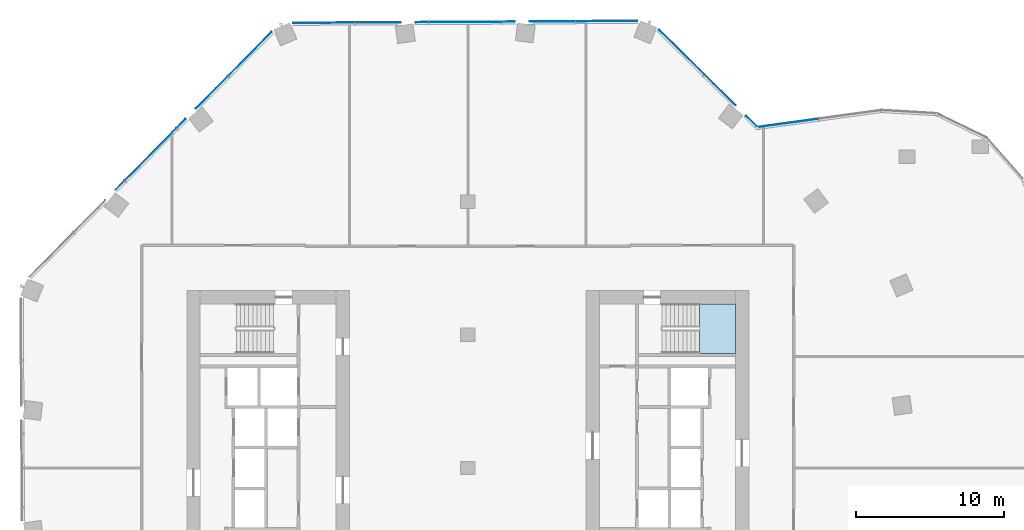
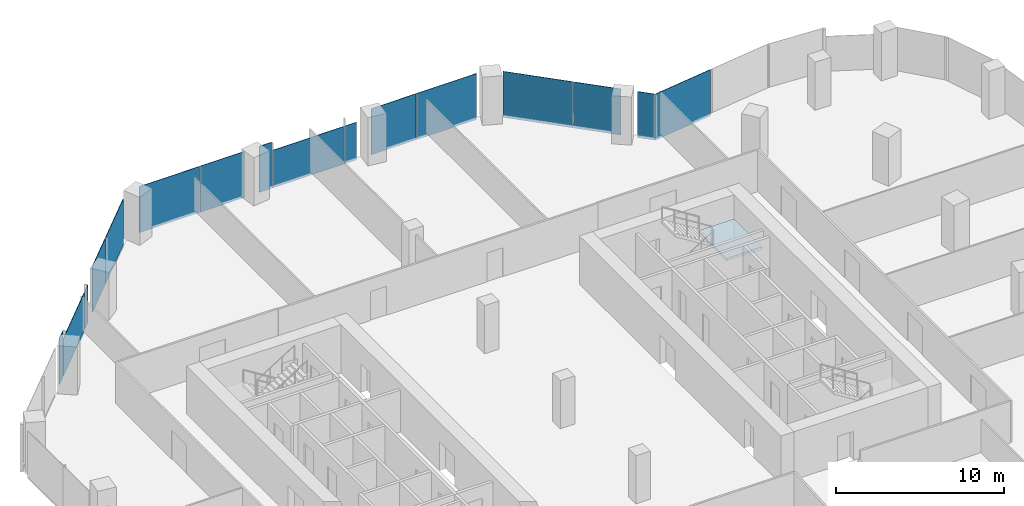
# One storey, part 17 of 27: 16 plates, 1 slab, 5 elements without a shape of their own.
"""IFC4 building model written with IfcOpenShell, lengths in metres."""

import ifcopenshell
import ifcopenshell.guid

model = None  # the IFC model being written
_history = None  # IfcOwnerHistory: only IFC2X3 demands one
_inside = {}  # id of a spatial element -> (the spatial element, [elements in it])
_under = {}  # id of a project, library or spatial element -> (it, [spatial elements below it])
_declared = {}  # id of a project -> (the project, [libraries it declares])
_typed = {}  # id of a type object -> (the type object, [elements of that type])
_made_of = {}  # id of a material, layer set ... -> (it, [elements and type objects made of it])


def new_model(schema):
    """Start an empty IFC model of exactly this schema.

    Asked for "IFC4X3", IfcOpenShell would pick the latest addendum, in which some entities
    have other attributes; the version numbers below select the first issue.
    IFC2X3 requires an IfcOwnerHistory on every rooted entity: one is made here for all.
    """
    global model, _history
    if schema == "IFC4X3":
        model = ifcopenshell.file(schema_version=(4, 3, 0, 0))
    else:
        model = ifcopenshell.file(schema=schema)
    _inside.clear()
    _under.clear()
    _declared.clear()
    _typed.clear()
    _made_of.clear()
    _history = None
    if model.schema == "IFC2X3":
        org = make("IfcOrganization", Name="unknown")
        user = make(
            "IfcPersonAndOrganization",
            ThePerson=make("IfcPerson", FamilyName="unknown"),
            TheOrganization=org,
        )
        app = make(
            "IfcApplication",
            ApplicationDeveloper=org,
            Version="unknown",
            ApplicationFullName="unknown",
            ApplicationIdentifier="unknown",
        )
        _history = make(
            "IfcOwnerHistory",
            OwningUser=user,
            OwningApplication=app,
            ChangeAction="ADDED",
            CreationDate=0,
        )
    return model


def make(cls, **values):
    """One entity of the class cls with the attributes given. An attribute that is None is left unset."""
    return model.create_entity(
        cls, **{name: value for name, value in values.items() if value is not None}
    )


def rooted(cls, **values):
    """An entity with a GlobalId (a new one), such as an element, a storey or a relation."""
    return make(cls, GlobalId=ifcopenshell.guid.new(), OwnerHistory=_history, **values)


def si_unit(unit_type, name, prefix=None):
    """IfcSIUnit, for example si_unit("LENGTHUNIT", "METRE", prefix="MILLI")."""
    return make("IfcSIUnit", UnitType=unit_type, Prefix=prefix, Name=name)


def assignment(units):
    """IfcUnitAssignment: the units of a project."""
    return None if units is None else make("IfcUnitAssignment", Units=units)


def point(xyz):
    """IfcCartesianPoint."""
    return None if xyz is None else make("IfcCartesianPoint", Coordinates=xyz)


def direction(xyz):
    """IfcDirection."""
    return None if xyz is None else make("IfcDirection", DirectionRatios=xyz)


def frame(location, z_axis=None, x_axis=None):
    """IfcAxis2Placement3D, a coordinate frame: its origin and axes. An axis left out is left unset."""
    return make(
        "IfcAxis2Placement3D",
        Location=point(location),
        Axis=direction(z_axis),
        RefDirection=direction(x_axis),
    )


def frame_2d(location, x_axis=None):
    """IfcAxis2Placement2D, a coordinate frame in the plane: its origin and x axis."""
    return make(
        "IfcAxis2Placement2D", Location=point(location), RefDirection=direction(x_axis)
    )


def origin():
    """The frame at (0, 0, 0) with its axes left unset."""
    return frame((0.0, 0.0, 0.0))


def origin_2d():
    """The frame at (0, 0) in the plane with its x axis left unset."""
    return frame_2d((0.0, 0.0))


def place(relative_to, where):
    """IfcLocalPlacement: puts the frame where relative to a parent placement (None: the world)."""
    return make(
        "IfcLocalPlacement", PlacementRelTo=relative_to, RelativePlacement=where
    )


def context(
    kind, dimensions, precision=None, world=None, true_north=None, identifier=None
):
    """IfcGeometricRepresentationContext, for example the 3D "Model" context."""
    return make(
        "IfcGeometricRepresentationContext",
        ContextIdentifier=identifier,
        ContextType=kind,
        CoordinateSpaceDimension=dimensions,
        Precision=precision,
        WorldCoordinateSystem=world,
        TrueNorth=true_north,
    )


def subcontext(parent, identifier, kind, view, scale=None):
    """IfcGeometricRepresentationSubContext, for example "Body" below "Model"."""
    return make(
        "IfcGeometricRepresentationSubContext",
        ContextIdentifier=identifier,
        ContextType=kind,
        ParentContext=parent,
        TargetScale=scale,
        TargetView=view,
    )


def project(units=None, contexts=None):
    """IfcProject with its units and contexts."""
    return rooted(
        "IfcProject",
        Name="project",
        RepresentationContexts=contexts,
        UnitsInContext=assignment(units),
    )


def spatial(cls, under=None, at=None, **own):
    """A site, building, storey or space (cls), placed at a placement, below another one or the project."""
    s = rooted(cls, ObjectPlacement=at, **own)
    if under is not None:
        _under.setdefault(under.id(), (under, []))[1].append(s)
    return s


def polyline(points):
    """IfcPolyline through the points."""
    return make("IfcPolyline", Points=[point(p) for p in points])


def profile(cls, at=None, kind="AREA", **sizes):
    """A parametric profile (cls). Its sizes go by their IFC names, for example OverallWidth=200.0."""
    return make(cls, ProfileType=kind, Position=at, **sizes)


def rectangle(**sizes):
    """IfcRectangleProfileDef."""
    return profile("IfcRectangleProfileDef", **sizes)


def outline(outer, holes=None, kind="AREA"):
    """IfcArbitraryClosedProfileDef: a profile drawn as a closed curve; with holes, ...WithVoids."""
    if holes is None:
        return make("IfcArbitraryClosedProfileDef", ProfileType=kind, OuterCurve=outer)
    return make(
        "IfcArbitraryProfileDefWithVoids",
        ProfileType=kind,
        OuterCurve=outer,
        InnerCurves=holes,
    )


def extrude(swept, where, along, depth):
    """IfcExtrudedAreaSolid: the profile swept, set in the frame where, extruded along a direction by depth."""
    return make(
        "IfcExtrudedAreaSolid",
        SweptArea=swept,
        Position=where,
        ExtrudedDirection=direction(along),
        Depth=depth,
    )


def shape(context_of_items, identifier, shape_type, items):
    """IfcShapeRepresentation: the items that make up one representation, for example the "Body"."""
    return make(
        "IfcShapeRepresentation",
        ContextOfItems=context_of_items,
        RepresentationIdentifier=identifier,
        RepresentationType=shape_type,
        Items=items,
    )


def material(Name=None, Category=None):
    """IfcMaterial."""
    return make("IfcMaterial", Name=Name, Category=Category)


def layer(
    of_material, thickness, ventilated=None, Name=None, Category=None, Priority=None
):
    """IfcMaterialLayer: one layer of a wall or slab, of a material (None: an air gap)."""
    return make(
        "IfcMaterialLayer",
        Material=of_material,
        LayerThickness=thickness,
        IsVentilated=ventilated,
        Name=Name,
        Category=Category,
        Priority=Priority,
    )


def layer_set(layers, Name=None):
    """IfcMaterialLayerSet."""
    return make("IfcMaterialLayerSet", MaterialLayers=layers, LayerSetName=Name)


def made_of(thing, what):
    """Note that an element or type object is made of a material, layer set ...; save() writes the relation."""
    if what is not None:
        _made_of.setdefault(what.id(), (what, []))[1].append(thing)
    return thing


def type_object(cls, material=None, **own):
    """A type object (cls), such as IfcWallType, which elements share."""
    return made_of(rooted(cls, **own), material)


def element(
    cls,
    number,
    at=None,
    inside=None,
    cuts=None,
    type_object=None,
    material=None,
    context=None,
    identifier="Body",
    shape_type=None,
    held_by="IfcProductDefinitionShape",
    body=None,
    shapes=None,
    **own,
):
    """One element of the class cls, such as IfcWall. Its Tag is "e" and its number.

    at: its placement. inside: the storey or other place that contains it. cuts: it is an
    opening in that element (IfcRelVoidsElement). A single representation is given by context,
    identifier, shape_type and body (its items); several are given by shapes. held_by: the class
    of the entity that holds the representations. save() writes the other relations.
    """
    e = rooted(cls, Tag="e%d" % number, ObjectPlacement=at, **own)
    if body is not None:
        shapes = [shape(context, identifier, shape_type, body)]
    if shapes is not None:
        e.Representation = make(held_by, Representations=shapes)
    if inside is not None:
        _inside.setdefault(inside.id(), (inside, []))[1].append(e)
    if cuts is not None:
        rooted(
            "IfcRelVoidsElement", RelatingBuildingElement=cuts, RelatedOpeningElement=e
        )
    if type_object is not None:
        _typed.setdefault(type_object.id(), (type_object, []))[1].append(e)
    return made_of(e, material)


def aggregate(whole, parts):
    """IfcRelAggregates: a whole, such as a stair, and the parts it consists of."""
    return rooted("IfcRelAggregates", RelatingObject=whole, RelatedObjects=parts)


def save(model, path):
    """Write the relations noted so far, then the file.

    IfcRelAggregates (storeys below a building ...), IfcRelContainedInSpatialStructure (elements
    in a storey), IfcRelDefinesByType, IfcRelAssociatesMaterial and IfcRelDeclares: one each for
    every whole, place, type object, material and project.
    """
    for whole, parts in _under.values():
        aggregate(whole, parts)
    for where, things in _inside.values():
        rooted(
            "IfcRelContainedInSpatialStructure",
            RelatedElements=things,
            RelatingStructure=where,
        )
    for kind, things in _typed.values():
        rooted("IfcRelDefinesByType", RelatedObjects=things, RelatingType=kind)
    for what, things in _made_of.values():
        rooted("IfcRelAssociatesMaterial", RelatedObjects=things, RelatingMaterial=what)
    for by, libraries in _declared.values():
        rooted("IfcRelDeclares", RelatingContext=by, RelatedDefinitions=libraries)
    model.write(path)


model = new_model("IFC4")

# Units and contexts
model_context = context("Model", 3, precision=1e-05, world=origin(), true_north=direction((0.0, 1.0)))
body_context = subcontext(model_context, "Body", "Model", "MODEL_VIEW")
ifc_project = project(units=[si_unit("LENGTHUNIT", "METRE"), si_unit("AREAUNIT", "SQUARE_METRE"), si_unit("VOLUMEUNIT", "CUBIC_METRE"), si_unit("PLANEANGLEUNIT", "RADIAN"), si_unit("MASSUNIT", "GRAM", prefix="KILO")], contexts=[model_context])

# Site, building, storey
site_placement = place(None, origin())
site = spatial("IfcSite", under=ifc_project, at=site_placement, CompositionType="ELEMENT")
building_placement = place(site_placement, origin())
building = spatial("IfcBuilding", under=site, at=building_placement, Name="Orlundy Tower", CompositionType="ELEMENT")
storey_placement = place(building_placement, frame((0.0, 0.0, 202.60009765625)))
storey = spatial("IfcBuildingStorey", under=building, at=storey_placement, Name="L53", CompositionType="ELEMENT", Elevation=202.60009765625)

# Curtain wall, plates
ifc_material_1 = material(Name="Aluminium bronze anodised", Category="aluminium")
curtain_wall_type = type_object("IfcCurtainWallType", Name="CW1 wall", PredefinedType="NOTDEFINED", material=ifc_material_1)
curtain_wall_1_placement = place(storey_placement, origin())
curtain_wall_1 = element("IfcCurtainWall", 1, at=curtain_wall_1_placement, inside=storey, type_object=curtain_wall_type, Name="CW1 run 03", PredefinedType="NOTDEFINED")
ifc_material_2 = material(Name="Tinted glass", Category="glass")
ifc_layer_1 = layer(ifc_material_2, 0.031982421875)
ifc_layer_set_1 = layer_set([ifc_layer_1], Name="CW1 glass panel 32")
plate_type = type_object("IfcPlateType", Name="CW1 glass panel 32", PredefinedType="CURTAIN_PANEL", material=ifc_layer_set_1)
plate_1_placement = place(storey_placement, frame((-23.515380859375, 19.118408203125, -0.300048828125), z_axis=(0.0, 0.0, 1.0), x_axis=(0.702990637629, 0.711199102506, 0.0)))
plate_1 = element("IfcPlate", 2, at=plate_1_placement, type_object=plate_type, Name="CW1 panel", PredefinedType="CURTAIN_PANEL", context=body_context, shape_type="SweptSolid", body=[
    extrude(rectangle(XDim=0.846435546875, YDim=0.031982421875, at=origin_2d()), origin(), (0.0, 0.0, 1.0), 3.35009765625),
])
plate_2_placement = place(storey_placement, frame((-21.453125, 21.204833984375, -0.300048828125), z_axis=(0.0, 0.0, 1.0), x_axis=(0.702990637629, 0.711199102506, 0.0)))
plate_2 = element("IfcPlate", 3, at=plate_2_placement, type_object=plate_type, Name="CW1 panel", PredefinedType="CURTAIN_PANEL", context=body_context, shape_type="SweptSolid", body=[
    extrude(rectangle(XDim=4.92041015625, YDim=0.031982421875, at=origin_2d()), origin(), (0.0, 0.0, 1.0), 2.73388671875),
])
plate_3_placement = place(storey_placement, frame((-19.390625, 23.291259765625, -0.300048828125), z_axis=(0.0, 0.0, 1.0), x_axis=(0.702990637629, 0.711199102506, 0.0)))
plate_3 = element("IfcPlate", 4, at=plate_3_placement, type_object=plate_type, Name="CW1 panel", PredefinedType="CURTAIN_PANEL", context=body_context, shape_type="SweptSolid", body=[
    extrude(rectangle(XDim=0.84716796875, YDim=0.031982421875, at=origin_2d()), origin(), (0.0, 0.0, 1.0), 2.73388671875),
])
plate_4_placement = place(storey_placement, frame((-17.302978515625, 25.4033203125, -0.300048828125), z_axis=(0.0, 0.0, 1.0), x_axis=(0.702990637629, 0.711199102506, 0.0)))
plate_4 = element("IfcPlate", 5, at=plate_4_placement, type_object=plate_type, Name="CW1 panel", PredefinedType="CURTAIN_PANEL", context=body_context, shape_type="SweptSolid", body=[
    extrude(rectangle(XDim=3.054443359375, YDim=0.031982421875, at=origin_2d()), origin(), (0.0, 0.0, 1.0), 3.35009765625),
])
plate_5_placement = place(storey_placement, frame((-14.736328125, 28.0, -0.300048828125), z_axis=(0.0, 0.0, 1.0), x_axis=(0.702990637629, 0.711199102506, 0.0)))
plate_5 = element("IfcPlate", 6, at=plate_5_placement, type_object=plate_type, Name="CW1 panel", PredefinedType="CURTAIN_PANEL", context=body_context, shape_type="SweptSolid", body=[
    extrude(rectangle(XDim=4.147705078125, YDim=0.031982421875, at=origin_2d()), origin(), (0.0, 0.0, 1.0), 3.35009765625),
])
aggregate(curtain_wall_1, [plate_1, plate_2, plate_3, plate_4, plate_5])

curtain_wall_2_placement = place(storey_placement, origin())
curtain_wall_2 = element("IfcCurtainWall", 7, at=curtain_wall_2_placement, inside=storey, type_object=curtain_wall_type, Name="CW1 run 04", PredefinedType="NOTDEFINED")
plate_6_placement = place(storey_placement, frame((-9.72998046875, 30.107666015625, -0.300048828125), z_axis=(0.0, 0.0, 1.0), x_axis=(0.999982980873, 0.005834206419, 0.0)))
plate_6 = element("IfcPlate", 8, at=plate_6_placement, type_object=plate_type, Name="CW1 panel", PredefinedType="CURTAIN_PANEL", context=body_context, shape_type="SweptSolid", body=[
    extrude(rectangle(XDim=4.1474609375, YDim=0.031982421875, at=origin_2d()), origin(), (0.0, 0.0, 1.0), 3.35009765625),
])
plate_7_placement = place(storey_placement, frame((-6.078857421875, 30.129150390625, -0.300048828125), z_axis=(0.0, 0.0, 1.0), x_axis=(0.999982980873, 0.005834206419, 0.0)))
plate_7 = element("IfcPlate", 9, at=plate_7_placement, type_object=plate_type, Name="CW1 panel", PredefinedType="CURTAIN_PANEL", context=body_context, shape_type="SweptSolid", body=[
    extrude(rectangle(XDim=3.054931640625, YDim=0.031982421875, at=origin_2d()), origin(), (0.0, 0.0, 1.0), 3.35009765625),
])
plate_8_placement = place(storey_placement, frame((-3.109130859375, 30.146484375, -0.300048828125), z_axis=(0.0, 0.0, 1.0), x_axis=(0.999982980873, 0.005834206419, 0.0)))
plate_8 = element("IfcPlate", 10, at=plate_8_placement, type_object=plate_type, Name="CW1 panel", PredefinedType="CURTAIN_PANEL", context=body_context, shape_type="SweptSolid", body=[
    extrude(rectangle(XDim=0.8466796875, YDim=0.031982421875, at=origin_2d()), origin(), (0.0, 0.0, 1.0), 3.35009765625),
])
plate_9_placement = place(storey_placement, frame((-0.175537109375, 30.16357421875, -0.300048828125), z_axis=(0.0, 0.0, 1.0), x_axis=(0.999982980873, 0.005834206419, 0.0)))
plate_9 = element("IfcPlate", 11, at=plate_9_placement, type_object=plate_type, Name="CW1 panel", PredefinedType="CURTAIN_PANEL", context=body_context, shape_type="SweptSolid", body=[
    extrude(rectangle(XDim=4.920654296875, YDim=0.031982421875, at=origin_2d()), origin(), (0.0, 0.0, 1.0), 2.73388671875),
])
plate_10_placement = place(storey_placement, frame((2.758056640625, 30.1806640625, -0.300048828125), z_axis=(0.0, 0.0, 1.0), x_axis=(0.999982980873, 0.005834206419, 0.0)))
plate_10 = element("IfcPlate", 12, at=plate_10_placement, type_object=plate_type, Name="CW1 panel", PredefinedType="CURTAIN_PANEL", context=body_context, shape_type="SweptSolid", body=[
    extrude(rectangle(XDim=0.8466796875, YDim=0.031982421875, at=origin_2d()), origin(), (0.0, 0.0, 1.0), 2.73388671875),
])
plate_11_placement = place(storey_placement, frame((5.7265625, 30.197998046875, -0.300048828125), z_axis=(0.0, 0.0, 1.0), x_axis=(0.999982980873, 0.005834206419, 0.0)))
plate_11 = element("IfcPlate", 13, at=plate_11_placement, type_object=plate_type, Name="CW1 panel", PredefinedType="CURTAIN_PANEL", context=body_context, shape_type="SweptSolid", body=[
    extrude(rectangle(XDim=3.0576171875, YDim=0.031982421875, at=origin_2d()), origin(), (0.0, 0.0, 1.0), 3.35009765625),
])
plate_12_placement = place(storey_placement, frame((9.37939453125, 30.21923828125, -0.300048828125), z_axis=(0.0, 0.0, 1.0), x_axis=(0.999982980873, 0.005834206419, 0.0)))
plate_12 = element("IfcPlate", 14, at=plate_12_placement, type_object=plate_type, Name="CW1 panel", PredefinedType="CURTAIN_PANEL", context=body_context, shape_type="SweptSolid", body=[
    extrude(rectangle(XDim=4.14794921875, YDim=0.031982421875, at=origin_2d()), origin(), (0.0, 0.0, 1.0), 3.35009765625),
])
aggregate(curtain_wall_2, [plate_6, plate_7, plate_8, plate_9, plate_10, plate_11, plate_12])

curtain_wall_3_placement = place(storey_placement, origin())
curtain_wall_3 = element("IfcCurtainWall", 15, at=curtain_wall_3_placement, inside=storey, type_object=curtain_wall_type, Name="CW1 run 05", PredefinedType="NOTDEFINED")
plate_13_placement = place(storey_placement, frame((14.462158203125, 28.117919921875, -0.300048828125), z_axis=(0.0, 0.0, 1.0), x_axis=(0.711197941896, -0.702991811789, 0.0)))
plate_13 = element("IfcPlate", 16, at=plate_13_placement, type_object=plate_type, Name="CW1 panel", PredefinedType="CURTAIN_PANEL", context=body_context, shape_type="SweptSolid", body=[
    extrude(rectangle(XDim=4.294921875, YDim=0.031982421875, at=origin_2d()), origin(), (0.0, 0.0, 1.0), 3.35009765625),
])
plate_14_placement = place(storey_placement, frame((17.0595703125, 25.550537109375, -0.300048828125), z_axis=(0.0, 0.0, 1.0), x_axis=(0.711197941896, -0.702991811789, 0.0)))
plate_14 = element("IfcPlate", 17, at=plate_14_placement, type_object=plate_type, Name="CW1 panel", PredefinedType="CURTAIN_PANEL", context=body_context, shape_type="SweptSolid", body=[
    extrude(rectangle(XDim=2.909423828125, YDim=0.031982421875, at=origin_2d()), origin(), (0.0, 0.0, 1.0), 3.35009765625),
])
plate_15_placement = place(storey_placement, frame((19.20361328125, 23.43115234375, -0.300048828125), z_axis=(0.0, 0.0, 1.0), x_axis=(0.711197941896, -0.702991811789, 0.0)))
plate_15 = element("IfcPlate", 18, at=plate_15_placement, type_object=plate_type, Name="CW1 panel", PredefinedType="CURTAIN_PANEL", context=body_context, shape_type="SweptSolid", body=[
    extrude(rectangle(XDim=1.0859375, YDim=0.031982421875, at=origin_2d()), origin(), (0.0, 0.0, 1.0), 3.35009765625),
])
aggregate(curtain_wall_3, [plate_13, plate_14, plate_15])

# Curtain wall, plate
curtain_wall_4_placement = place(storey_placement, origin())
curtain_wall_4 = element("IfcCurtainWall", 19, at=curtain_wall_4_placement, inside=storey, type_object=curtain_wall_type, Name="CW1 run 06", PredefinedType="NOTDEFINED")
plate_16_placement = place(storey_placement, frame((21.650634765625, 23.332763671875, -0.300048828125), z_axis=(0.0, 0.0, 1.0), x_axis=(0.990683386349, 0.136185270904, 0.0)))
plate_16 = element("IfcPlate", 20, at=plate_16_placement, type_object=plate_type, Name="CW1 panel", PredefinedType="CURTAIN_PANEL", context=body_context, shape_type="SweptSolid", body=[
    extrude(rectangle(XDim=4.160400390625, YDim=0.031982421875, at=origin_2d()), origin(), (0.0, 0.0, 1.0), 3.35009765625),
])
aggregate(curtain_wall_4, [plate_16])

# Stair, slab
ifc_material_3 = material(Name="Concrete C50/60", Category="concrete")
stair_type = type_object("IfcStairType", Name="Exit Stair 20 risers", PredefinedType="HALF_TURN_STAIR", material=ifc_material_3)
stair_placement = place(storey_placement, origin())
stair = element("IfcStair", 21, at=stair_placement, inside=storey, type_object=stair_type, Name="L53 Exit Stair ST-E2", PredefinedType="HALF_TURN_STAIR")
ifc_material_4 = material(Name="Concrete C50/60", Category="concrete")
ifc_layer_2 = layer(ifc_material_4, 0.199951171875)
ifc_layer_set_2 = layer_set([ifc_layer_2], Name="Exit Stair Landing")
slab_type = type_object("IfcSlabType", Name="Exit Stair Landing", PredefinedType="LANDING", material=ifc_layer_set_2)
slab_placement = place(storey_placement, frame((0.0, 0.0, 1.5498046875)))
slab = element("IfcSlab", 22, at=slab_placement, type_object=slab_type, Name="ST-E2 landing 1", PredefinedType="LANDING", context=body_context, shape_type="SweptSolid", body=[
    extrude(outline(polyline([(15.659912109375, 7.75), (18.10009765625, 7.75), (18.10009765625, 11.10009765625), (15.659912109375, 11.10009765625), (15.659912109375, 7.75)])), origin(), (0.0, 0.0, 1.0), 0.2001953125),
])
aggregate(stair, [slab])

save(model, "model.ifc")
